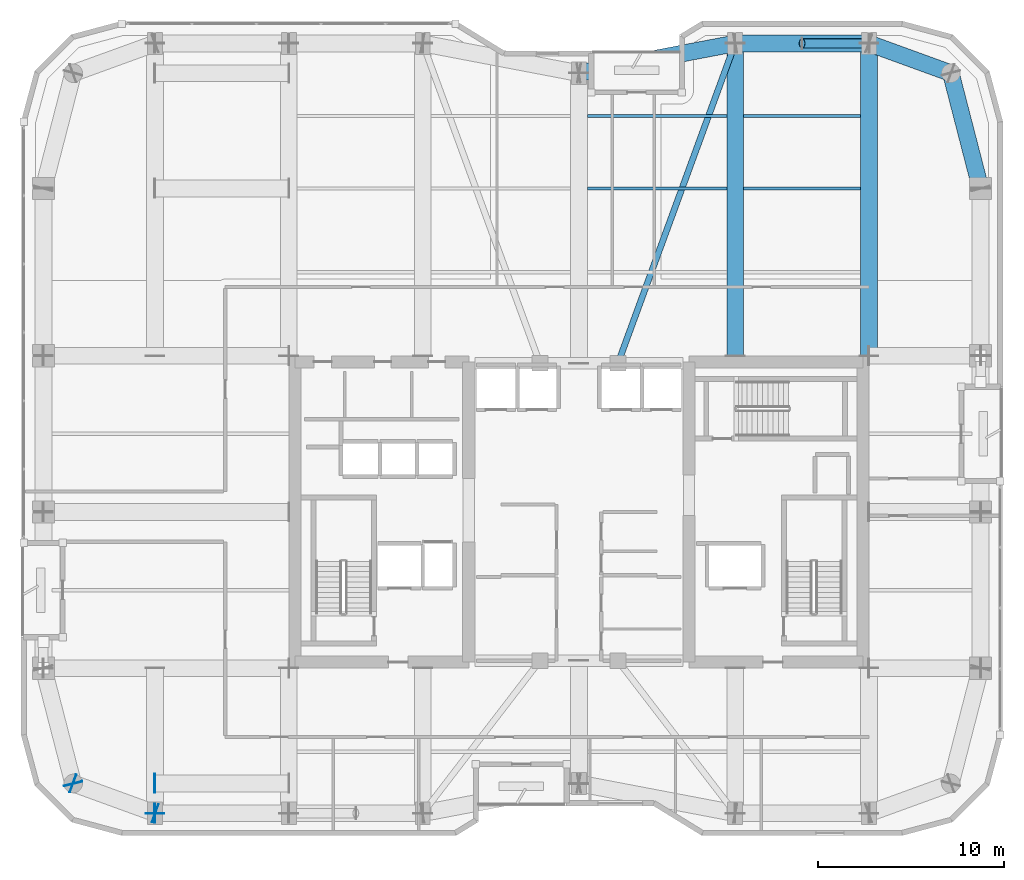
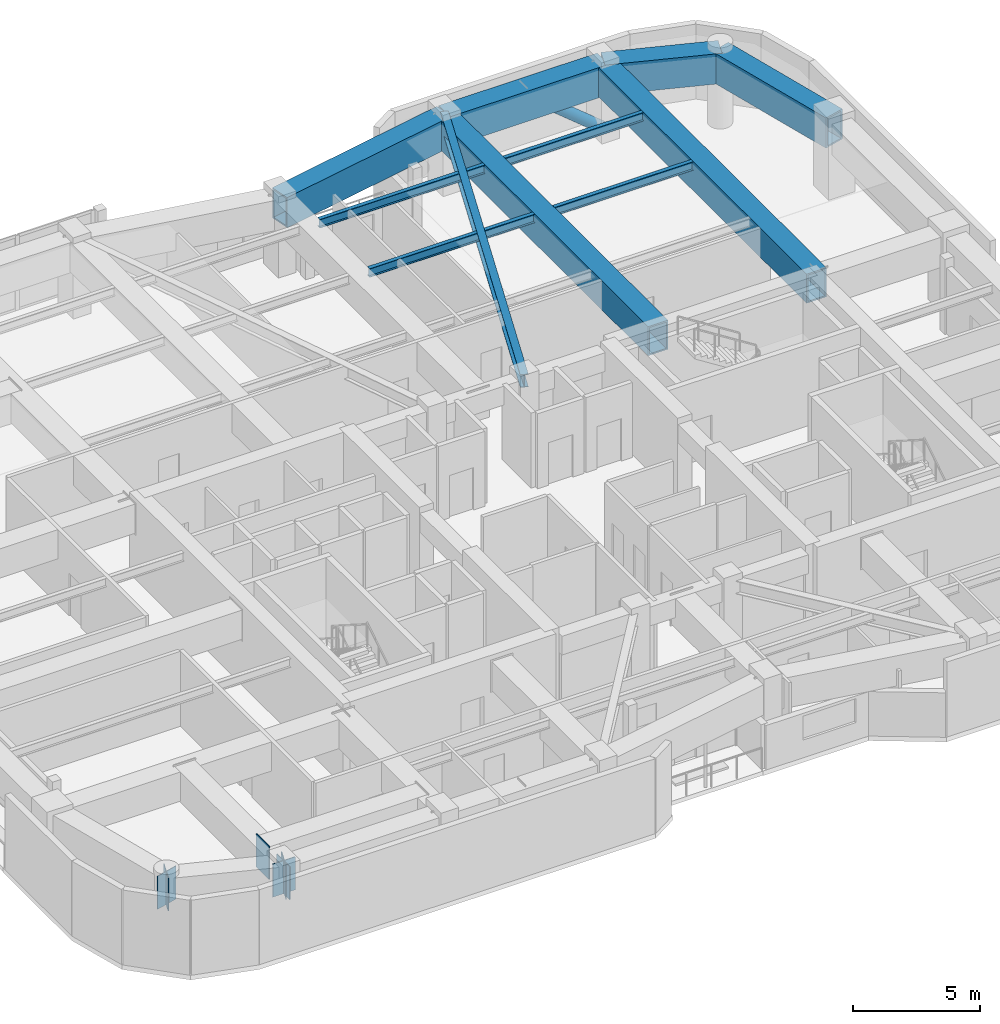
# One storey, part 20 of 30: 11 beams, 6 plates, 1 member.
"""IFC4 building model written with IfcOpenShell, lengths in metres."""

import ifcopenshell
import ifcopenshell.guid

model = None  # the IFC model being written
_history = None  # IfcOwnerHistory: only IFC2X3 demands one
_inside = {}  # id of a spatial element -> (the spatial element, [elements in it])
_under = {}  # id of a project, library or spatial element -> (it, [spatial elements below it])
_declared = {}  # id of a project -> (the project, [libraries it declares])
_typed = {}  # id of a type object -> (the type object, [elements of that type])
_made_of = {}  # id of a material, layer set ... -> (it, [elements and type objects made of it])


def new_model(schema):
    """Start an empty IFC model of exactly this schema.

    Asked for "IFC4X3", IfcOpenShell would pick the latest addendum, in which some entities
    have other attributes; the version numbers below select the first issue.
    IFC2X3 requires an IfcOwnerHistory on every rooted entity: one is made here for all.
    """
    global model, _history
    if schema == "IFC4X3":
        model = ifcopenshell.file(schema_version=(4, 3, 0, 0))
    else:
        model = ifcopenshell.file(schema=schema)
    _inside.clear()
    _under.clear()
    _declared.clear()
    _typed.clear()
    _made_of.clear()
    _history = None
    if model.schema == "IFC2X3":
        org = make("IfcOrganization", Name="unknown")
        user = make(
            "IfcPersonAndOrganization",
            ThePerson=make("IfcPerson", FamilyName="unknown"),
            TheOrganization=org,
        )
        app = make(
            "IfcApplication",
            ApplicationDeveloper=org,
            Version="unknown",
            ApplicationFullName="unknown",
            ApplicationIdentifier="unknown",
        )
        _history = make(
            "IfcOwnerHistory",
            OwningUser=user,
            OwningApplication=app,
            ChangeAction="ADDED",
            CreationDate=0,
        )
    return model


def make(cls, **values):
    """One entity of the class cls with the attributes given. An attribute that is None is left unset."""
    return model.create_entity(
        cls, **{name: value for name, value in values.items() if value is not None}
    )


def rooted(cls, **values):
    """An entity with a GlobalId (a new one), such as an element, a storey or a relation."""
    return make(cls, GlobalId=ifcopenshell.guid.new(), OwnerHistory=_history, **values)


def si_unit(unit_type, name, prefix=None):
    """IfcSIUnit, for example si_unit("LENGTHUNIT", "METRE", prefix="MILLI")."""
    return make("IfcSIUnit", UnitType=unit_type, Prefix=prefix, Name=name)


def assignment(units):
    """IfcUnitAssignment: the units of a project."""
    return None if units is None else make("IfcUnitAssignment", Units=units)


def point(xyz):
    """IfcCartesianPoint."""
    return None if xyz is None else make("IfcCartesianPoint", Coordinates=xyz)


def direction(xyz):
    """IfcDirection."""
    return None if xyz is None else make("IfcDirection", DirectionRatios=xyz)


def frame(location, z_axis=None, x_axis=None):
    """IfcAxis2Placement3D, a coordinate frame: its origin and axes. An axis left out is left unset."""
    return make(
        "IfcAxis2Placement3D",
        Location=point(location),
        Axis=direction(z_axis),
        RefDirection=direction(x_axis),
    )


def frame_2d(location, x_axis=None):
    """IfcAxis2Placement2D, a coordinate frame in the plane: its origin and x axis."""
    return make(
        "IfcAxis2Placement2D", Location=point(location), RefDirection=direction(x_axis)
    )


def origin():
    """The frame at (0, 0, 0) with its axes left unset."""
    return frame((0.0, 0.0, 0.0))


def origin_2d():
    """The frame at (0, 0) in the plane with its x axis left unset."""
    return frame_2d((0.0, 0.0))


def place(relative_to, where):
    """IfcLocalPlacement: puts the frame where relative to a parent placement (None: the world)."""
    return make(
        "IfcLocalPlacement", PlacementRelTo=relative_to, RelativePlacement=where
    )


def context(
    kind, dimensions, precision=None, world=None, true_north=None, identifier=None
):
    """IfcGeometricRepresentationContext, for example the 3D "Model" context."""
    return make(
        "IfcGeometricRepresentationContext",
        ContextIdentifier=identifier,
        ContextType=kind,
        CoordinateSpaceDimension=dimensions,
        Precision=precision,
        WorldCoordinateSystem=world,
        TrueNorth=true_north,
    )


def subcontext(parent, identifier, kind, view, scale=None):
    """IfcGeometricRepresentationSubContext, for example "Body" below "Model"."""
    return make(
        "IfcGeometricRepresentationSubContext",
        ContextIdentifier=identifier,
        ContextType=kind,
        ParentContext=parent,
        TargetScale=scale,
        TargetView=view,
    )


def project(units=None, contexts=None):
    """IfcProject with its units and contexts."""
    return rooted(
        "IfcProject",
        Name="project",
        RepresentationContexts=contexts,
        UnitsInContext=assignment(units),
    )


def spatial(cls, under=None, at=None, **own):
    """A site, building, storey or space (cls), placed at a placement, below another one or the project."""
    s = rooted(cls, ObjectPlacement=at, **own)
    if under is not None:
        _under.setdefault(under.id(), (under, []))[1].append(s)
    return s


def profile(cls, at=None, kind="AREA", **sizes):
    """A parametric profile (cls). Its sizes go by their IFC names, for example OverallWidth=200.0."""
    return make(cls, ProfileType=kind, Position=at, **sizes)


def rectangle(**sizes):
    """IfcRectangleProfileDef."""
    return profile("IfcRectangleProfileDef", **sizes)


def hollow_rectangle(**sizes):
    """IfcRectangleHollowProfileDef."""
    return profile("IfcRectangleHollowProfileDef", **sizes)


def hollow_circle(**sizes):
    """IfcCircleHollowProfileDef."""
    return profile("IfcCircleHollowProfileDef", **sizes)


def i_section(**sizes):
    """IfcIShapeProfileDef."""
    return profile("IfcIShapeProfileDef", **sizes)


def extrude(swept, where, along, depth):
    """IfcExtrudedAreaSolid: the profile swept, set in the frame where, extruded along a direction by depth."""
    return make(
        "IfcExtrudedAreaSolid",
        SweptArea=swept,
        Position=where,
        ExtrudedDirection=direction(along),
        Depth=depth,
    )


def shape(context_of_items, identifier, shape_type, items):
    """IfcShapeRepresentation: the items that make up one representation, for example the "Body"."""
    return make(
        "IfcShapeRepresentation",
        ContextOfItems=context_of_items,
        RepresentationIdentifier=identifier,
        RepresentationType=shape_type,
        Items=items,
    )


def material(Name=None, Category=None):
    """IfcMaterial."""
    return make("IfcMaterial", Name=Name, Category=Category)


def layer(
    of_material, thickness, ventilated=None, Name=None, Category=None, Priority=None
):
    """IfcMaterialLayer: one layer of a wall or slab, of a material (None: an air gap)."""
    return make(
        "IfcMaterialLayer",
        Material=of_material,
        LayerThickness=thickness,
        IsVentilated=ventilated,
        Name=Name,
        Category=Category,
        Priority=Priority,
    )


def layer_set(layers, Name=None):
    """IfcMaterialLayerSet."""
    return make("IfcMaterialLayerSet", MaterialLayers=layers, LayerSetName=Name)


def material_profile(
    of_material, cross_section, Name=None, Category=None, Priority=None
):
    """IfcMaterialProfile: a cross section and its material."""
    return make(
        "IfcMaterialProfile",
        Name=Name,
        Material=of_material,
        Profile=cross_section,
        Priority=Priority,
        Category=Category,
    )


def profile_set(profiles, Name=None, composite=None):
    """IfcMaterialProfileSet."""
    return make(
        "IfcMaterialProfileSet",
        Name=Name,
        MaterialProfiles=profiles,
        CompositeProfile=composite,
    )


def made_of(thing, what):
    """Note that an element or type object is made of a material, layer set ...; save() writes the relation."""
    if what is not None:
        _made_of.setdefault(what.id(), (what, []))[1].append(thing)
    return thing


def type_object(cls, material=None, **own):
    """A type object (cls), such as IfcWallType, which elements share."""
    return made_of(rooted(cls, **own), material)


def element(
    cls,
    number,
    at=None,
    inside=None,
    cuts=None,
    type_object=None,
    material=None,
    context=None,
    identifier="Body",
    shape_type=None,
    held_by="IfcProductDefinitionShape",
    body=None,
    shapes=None,
    **own,
):
    """One element of the class cls, such as IfcWall. Its Tag is "e" and its number.

    at: its placement. inside: the storey or other place that contains it. cuts: it is an
    opening in that element (IfcRelVoidsElement). A single representation is given by context,
    identifier, shape_type and body (its items); several are given by shapes. held_by: the class
    of the entity that holds the representations. save() writes the other relations.
    """
    e = rooted(cls, Tag="e%d" % number, ObjectPlacement=at, **own)
    if body is not None:
        shapes = [shape(context, identifier, shape_type, body)]
    if shapes is not None:
        e.Representation = make(held_by, Representations=shapes)
    if inside is not None:
        _inside.setdefault(inside.id(), (inside, []))[1].append(e)
    if cuts is not None:
        rooted(
            "IfcRelVoidsElement", RelatingBuildingElement=cuts, RelatedOpeningElement=e
        )
    if type_object is not None:
        _typed.setdefault(type_object.id(), (type_object, []))[1].append(e)
    return made_of(e, material)


def aggregate(whole, parts):
    """IfcRelAggregates: a whole, such as a stair, and the parts it consists of."""
    return rooted("IfcRelAggregates", RelatingObject=whole, RelatedObjects=parts)


def save(model, path):
    """Write the relations noted so far, then the file.

    IfcRelAggregates (storeys below a building ...), IfcRelContainedInSpatialStructure (elements
    in a storey), IfcRelDefinesByType, IfcRelAssociatesMaterial and IfcRelDeclares: one each for
    every whole, place, type object, material and project.
    """
    for whole, parts in _under.values():
        aggregate(whole, parts)
    for where, things in _inside.values():
        rooted(
            "IfcRelContainedInSpatialStructure",
            RelatedElements=things,
            RelatingStructure=where,
        )
    for kind, things in _typed.values():
        rooted("IfcRelDefinesByType", RelatedObjects=things, RelatingType=kind)
    for what, things in _made_of.values():
        rooted("IfcRelAssociatesMaterial", RelatedObjects=things, RelatingMaterial=what)
    for by, libraries in _declared.values():
        rooted("IfcRelDeclares", RelatingContext=by, RelatedDefinitions=libraries)
    model.write(path)


model = new_model("IFC4")

# Units and contexts
model_context = context("Model", 3, precision=1e-05, world=origin(), true_north=direction((0.0, 1.0)))
body_context = subcontext(model_context, "Body", "Model", "MODEL_VIEW")
ifc_project = project(units=[si_unit("LENGTHUNIT", "METRE"), si_unit("AREAUNIT", "SQUARE_METRE"), si_unit("VOLUMEUNIT", "CUBIC_METRE"), si_unit("PLANEANGLEUNIT", "RADIAN"), si_unit("MASSUNIT", "GRAM", prefix="KILO")], contexts=[model_context])

# Site, building, storey
site_placement = place(None, origin())
site = spatial("IfcSite", under=ifc_project, at=site_placement, CompositionType="ELEMENT")
building_placement = place(site_placement, origin())
building = spatial("IfcBuilding", under=site, at=building_placement, Name="Kiyonajd Concourse Tower", CompositionType="ELEMENT")
storey_placement = place(building_placement, frame((0.0, 0.0, 205.800048828125)))
storey = spatial("IfcBuildingStorey", under=building, at=storey_placement, Name="L52", CompositionType="ELEMENT", Elevation=205.800048828125)

# Beams
ifc_material_1 = material(Name="Steel ASTM A992 Grade 50", Category="steel")
ifc_material_profile_1 = material_profile(ifc_material_1, i_section(OverallWidth=0.180908203125, OverallDepth=0.4169921875, WebThickness=0.010986328125, FlangeThickness=0.018310546875, at=origin_2d()), Name="W410X85")
ifc_profile_set_1 = profile_set([ifc_material_profile_1], Name="Steel ASTM A992 Grade 50")
beam_type_1 = type_object("IfcBeamType", Name="BM-JST-410", PredefinedType="JOIST", material=ifc_profile_set_1)
beam_1_placement = place(storey_placement, frame((48.449951171875, 53.39990234375, 3.391357421875), z_axis=(1.0, 0.0, 0.0), x_axis=(0.0, 1.0, 0.0)))
element("IfcBeam", 1, at=beam_1_placement, inside=storey, type_object=beam_type_1, Name="L52 Secondary Floor Joist", PredefinedType="JOIST", context=body_context, shape_type="SweptSolid", body=[
    extrude(i_section(OverallWidth=0.180908203125, OverallDepth=0.4169921875, WebThickness=0.010986328125, FlangeThickness=0.018310546875, at=origin_2d()), origin(), (0.0, 0.0, 1.0), 7.5),
])
beam_2_placement = place(storey_placement, frame((56.85009765625, 53.39990234375, 3.391357421875), z_axis=(1.0, 0.0, 0.0), x_axis=(0.0, 1.0, 0.0)))
element("IfcBeam", 2, at=beam_2_placement, inside=storey, type_object=beam_type_1, Name="L52 Secondary Floor Joist", PredefinedType="JOIST", context=body_context, shape_type="SweptSolid", body=[
    extrude(i_section(OverallWidth=0.180908203125, OverallDepth=0.4169921875, WebThickness=0.010986328125, FlangeThickness=0.018310546875, at=origin_2d()), origin(), (0.0, 0.0, 1.0), 6.2998046875),
])
beam_3_placement = place(storey_placement, frame((48.449951171875, 57.300048828125, 3.391357421875), z_axis=(1.0, 0.0, 0.0), x_axis=(0.0, 1.0, 0.0)))
element("IfcBeam", 3, at=beam_3_placement, inside=storey, type_object=beam_type_1, Name="L52 Secondary Floor Joist", PredefinedType="JOIST", context=body_context, shape_type="SweptSolid", body=[
    extrude(i_section(OverallWidth=0.180908203125, OverallDepth=0.4169921875, WebThickness=0.010986328125, FlangeThickness=0.018310546875, at=origin_2d()), origin(), (0.0, 0.0, 1.0), 7.5),
])
beam_4_placement = place(storey_placement, frame((56.85009765625, 57.300048828125, 3.391357421875), z_axis=(1.0, 0.0, 0.0), x_axis=(0.0, 1.0, 0.0)))
element("IfcBeam", 4, at=beam_4_placement, inside=storey, type_object=beam_type_1, Name="L52 Secondary Floor Joist", PredefinedType="JOIST", context=body_context, shape_type="SweptSolid", body=[
    extrude(i_section(OverallWidth=0.180908203125, OverallDepth=0.4169921875, WebThickness=0.010986328125, FlangeThickness=0.018310546875, at=origin_2d()), origin(), (0.0, 0.0, 1.0), 6.2998046875),
])
ifc_material_profile_2 = material_profile(ifc_material_1, i_section(OverallWidth=0.326904296875, OverallDepth=0.6220703125, WebThickness=0.015380859375, FlangeThickness=0.0244140625, at=origin_2d()), Name="W610X195")
ifc_profile_set_2 = profile_set([ifc_material_profile_2], Name="Steel ASTM A992 Grade 50")
beam_type_2 = type_object("IfcBeamType", Name="BM-TWR-610A", PredefinedType="BEAM", material=ifc_profile_set_2)
beam_5_placement = place(storey_placement, frame((50.10009765625, 44.0, 3.2890625), z_axis=(0.343925269715, 0.938997022813, 0.0), x_axis=(-0.938997022813, 0.343925269715, 0.0)))
element("IfcBeam", 5, at=beam_5_placement, inside=storey, type_object=beam_type_2, Name="L52 Core Tie Girder", PredefinedType="BEAM", context=body_context, shape_type="SweptSolid", body=[
    extrude(i_section(OverallWidth=0.326904296875, OverallDepth=0.6220703125, WebThickness=0.015380859375, FlangeThickness=0.0244140625, at=origin_2d()), origin(), (0.0, 0.0, 1.0), 18.3173828125),
])
ifc_material_2 = material(Name="Steel ASTM A572 Grade 50", Category="steel")
ifc_material_profile_3 = material_profile(ifc_material_2, hollow_rectangle(XDim=0.89990234375, YDim=1.39990234375, WallThickness=0.070068359375, at=origin_2d()), Name="BOX-1400x900x70")
ifc_profile_set_3 = profile_set([ifc_material_profile_3], Name="Steel ASTM A572 Grade 50")
beam_type_3 = type_object("IfcBeamType", Name="BM-XFER-1400", PredefinedType="BEAM", material=ifc_profile_set_3)
for number, where, z_axis, x_axis, name in (
    (6, (56.39990234375, 44.39990234375, 2.89990234375), (0.0, 1.0, 0.0), (-1.0, 0.0, 0.0), "L52 North Lease Girder"),
    (7, (63.60009765625, 44.39990234375, 2.89990234375), (0.0, 1.0, 0.0), (-1.0, 0.0, 0.0), "L52 North Lease Girder"),
):
    element("IfcBeam", number, at=place(storey_placement, frame(where, z_axis=z_axis, x_axis=x_axis)), inside=storey, type_object=beam_type_3, Name=name, PredefinedType="BEAM", context=body_context, shape_type="SweptSolid", body=[
        extrude(hollow_rectangle(XDim=0.89990234375, YDim=1.39990234375, WallThickness=0.070068359375, at=origin_2d()), origin(), (0.0, 0.0, 1.0), 16.800048828125),
    ])
ifc_material_profile_4 = material_profile(ifc_material_2, hollow_rectangle(XDim=0.89990234375, YDim=1.449951171875, WallThickness=0.074951171875, at=origin_2d()), Name="BOX-1450x900x75")
ifc_profile_set_4 = profile_set([ifc_material_profile_4], Name="Steel ASTM A572 Grade 50")
beam_type_4 = type_object("IfcBeamType", Name="BM-XFER-1800", PredefinedType="BEAM", material=ifc_profile_set_4)
beam_6_placement = place(storey_placement, frame((69.60009765625, 53.39990234375, 2.875), z_axis=(-0.249884937687, 0.968275538221, 0.0), x_axis=(-0.968275538221, -0.249884937687, 0.0)))
element("IfcBeam", 8, at=beam_6_placement, inside=storey, type_object=beam_type_4, Name="L52 Perimeter Bundled Tube Spandrel", PredefinedType="BEAM", context=body_context, shape_type="SweptSolid", body=[
    extrude(hollow_rectangle(XDim=0.89990234375, YDim=1.449951171875, WallThickness=0.074951171875, at=origin_2d()), origin(), (0.0, 0.0, 1.0), 6.4033203125),
])
beam_7_placement = place(storey_placement, frame((68.0, 59.60009765625, 2.875), z_axis=(-0.939801036019, 0.341722127901, 0.0), x_axis=(-0.341722127901, -0.939801036019, 0.0)))
element("IfcBeam", 9, at=beam_7_placement, inside=storey, type_object=beam_type_4, Name="L52 Perimeter Bundled Tube Spandrel", PredefinedType="BEAM", context=body_context, shape_type="SweptSolid", body=[
    extrude(hollow_rectangle(XDim=0.89990234375, YDim=1.449951171875, WallThickness=0.074951171875, at=origin_2d()), origin(), (0.0, 0.0, 1.0), 4.681640625),
])
beam_8_placement = place(storey_placement, frame((63.60009765625, 61.199951171875, 2.875), z_axis=(-1.0, 0.0, 0.0), x_axis=(0.0, -1.0, 0.0)))
element("IfcBeam", 10, at=beam_8_placement, inside=storey, type_object=beam_type_4, Name="L52 Perimeter Bundled Tube Spandrel", PredefinedType="BEAM", context=body_context, shape_type="SweptSolid", body=[
    extrude(hollow_rectangle(XDim=0.89990234375, YDim=1.449951171875, WallThickness=0.074951171875, at=origin_2d()), origin(), (0.0, 0.0, 1.0), 7.2001953125),
])
beam_9_placement = place(storey_placement, frame((56.39990234375, 61.199951171875, 2.875), z_axis=(-0.982341315253, -0.187097675953, 0.0), x_axis=(0.187097675953, -0.982341315253, 0.0)))
element("IfcBeam", 11, at=beam_9_placement, inside=storey, type_object=beam_type_4, Name="L52 Perimeter Bundled Tube Spandrel", PredefinedType="BEAM", context=body_context, shape_type="SweptSolid", body=[
    extrude(hollow_rectangle(XDim=0.89990234375, YDim=1.449951171875, WallThickness=0.074951171875, at=origin_2d()), origin(), (0.0, 0.0, 1.0), 8.55078125),
])

# Member
ifc_material_3 = material(Name="Steel ASTM A500 Grade C", Category="steel")
ifc_material_profile_5 = material_profile(ifc_material_3, hollow_circle(Radius=0.25390625, WallThickness=0.02197265625, at=origin_2d()), Name="CHS-508x22")
ifc_profile_set_5 = profile_set([ifc_material_profile_5], Name="Steel ASTM A500 Grade C")
member_type = type_object("IfcMemberType", Name="MB-PB-MID", PredefinedType="BRACE", material=ifc_profile_set_5)
member_placement = place(storey_placement, frame((63.60009765625, 61.199951171875, 0.300048828125), z_axis=(-0.773492012438, 0.0, 0.633806048168), x_axis=(0.0, -1.0, 0.0)))
element("IfcMember", 12, at=member_placement, inside=storey, type_object=member_type, Name="L52 Upper Zone Hollow Tube Brace PBN", PredefinedType="BRACE", context=body_context, shape_type="SweptSolid", body=[
    extrude(hollow_circle(Radius=0.25390625, WallThickness=0.02197265625, at=origin_2d()), origin(), (0.0, 0.0, 1.0), 4.654296875),
])

# Plates
ifc_layer = layer(ifc_material_2, 0.031982421875)
ifc_layer_set = layer_set([ifc_layer], Name="Steel ASTM A572 Grade 50")
plate_type = type_object("IfcPlateType", Name="PL-CAP-540", PredefinedType="USERDEFINED", material=ifc_layer_set)
for number, where, z_axis, x_axis, name in (
    (13, (25.18896484375, 21.39990234375, 2.080078125), (0.0, 0.0, 1.0), (-1.0, 0.0, 0.0), "L52 Transfer Box Cap Plate"),
    (14, (20.802734375, 21.389404296875, 2.14013671875), (0.0, 0.0, 1.0), (0.249873048837, -0.968278606324, 0.0), "L52 Welded Box Girder End Cap"),
    (15, (20.789794921875, 21.40380859375, 2.14013671875), (0.0, 0.0, 1.0), (-0.939811951086, 0.341692107891, 0.0), "L52 Welded Box Girder End Cap"),
    (16, (25.210205078125, 19.796142578125, 2.14013671875), (0.0, 0.0, 1.0), (0.939811951086, -0.341692107891, 0.0), "L52 Welded Box Girder End Cap"),
    (17, (25.18896484375, 19.800048828125, 2.080078125), (0.0, 0.0, 1.0), (-1.0, 0.0, 0.0), "L52 Welded Box Girder End Cap"),
    (18, (25.199951171875, 19.7890625, 2.080078125), (0.0, 0.0, 1.0), (0.0, -1.0, 0.0), "L52 Welded Box Girder End Cap"),
):
    element("IfcPlate", number, at=place(storey_placement, frame(where, z_axis=z_axis, x_axis=x_axis)), inside=storey, type_object=plate_type, Name=name, ObjectType="CAP PLATE", PredefinedType="USERDEFINED", context=body_context, shape_type="SweptSolid", body=[
        extrude(rectangle(XDim=0.035888671875, YDim=1.02001953125, at=origin_2d()), origin(), (0.0, 0.0, 1.0), 1.590087890625),
    ])

save(model, "model.ifc")
